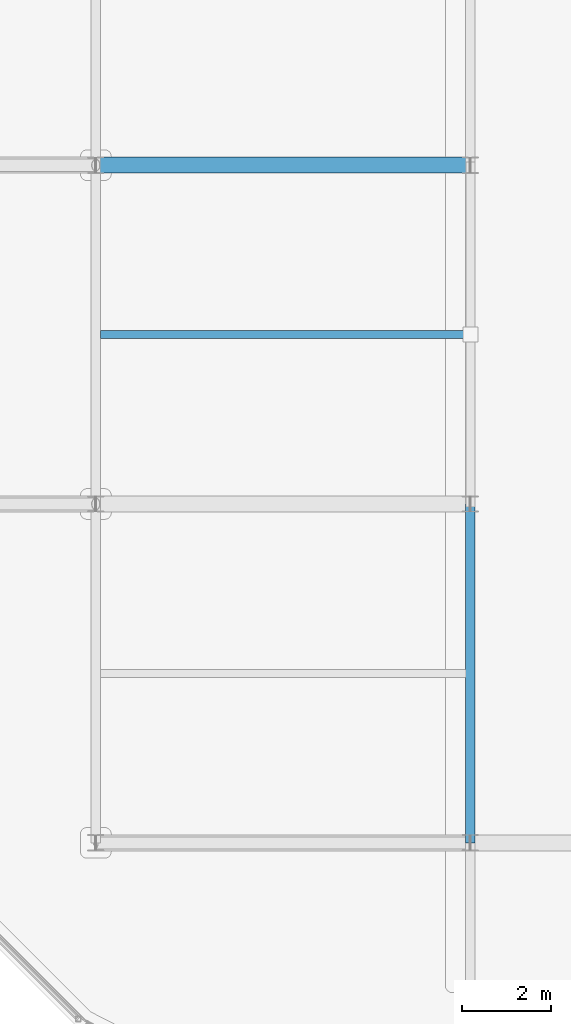
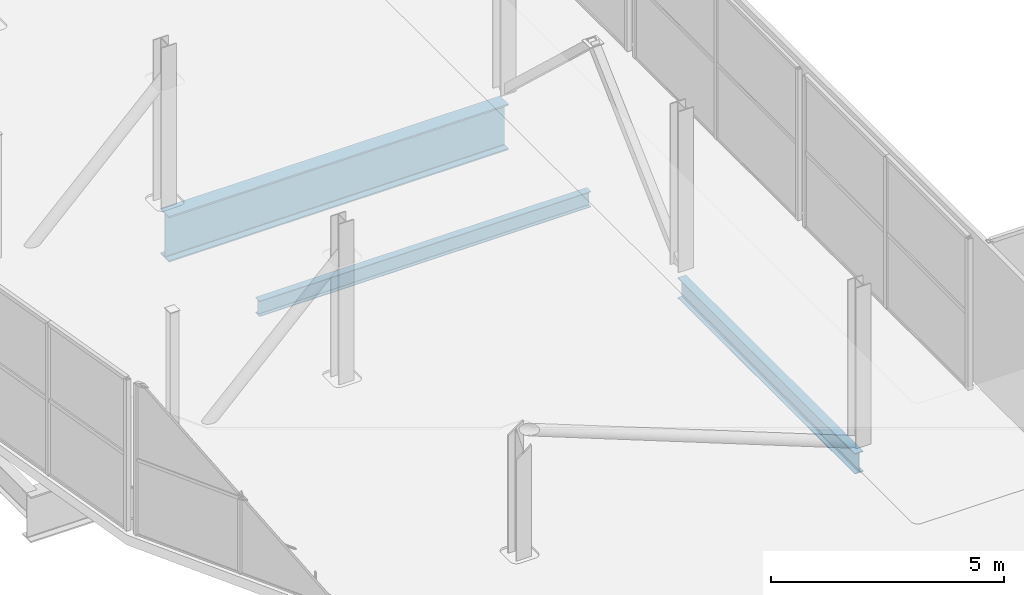
# One storey, part 25 of 217: 3 beams.
"""IFC4 building model written with IfcOpenShell, lengths in metres."""

from ifc_helpers import new_model, si_unit, direction, frame, origin, origin_2d, place, context, subcontext, project, spatial, i_section, extrude, material, material_profile, profile_set, type_object, element, save


model = new_model("IFC4")

# Units and contexts
model_context = context("Model", 3, precision=1e-05, world=origin(), true_north=direction((0.0, 1.0)))
body_context = subcontext(model_context, "Body", "Model", "MODEL_VIEW")
ifc_project = project(units=[si_unit("LENGTHUNIT", "METRE"), si_unit("AREAUNIT", "SQUARE_METRE"), si_unit("VOLUMEUNIT", "CUBIC_METRE"), si_unit("PLANEANGLEUNIT", "RADIAN"), si_unit("MASSUNIT", "GRAM", prefix="KILO")], contexts=[model_context])

# Site, building, storey
site_placement = place(None, origin())
site = spatial("IfcSite", under=ifc_project, at=site_placement, CompositionType="ELEMENT")
building_placement = place(site_placement, origin())
building = spatial("IfcBuilding", under=site, at=building_placement, Name="Zuvorla Pavilion Media Centre", CompositionType="ELEMENT")
storey_placement = place(building_placement, frame((0.0, 0.0, 9.60009765625)))
storey = spatial("IfcBuildingStorey", under=building, at=storey_placement, Name="L02", CompositionType="ELEMENT", Elevation=9.60009765625)

# Beams
ifc_material = material(Name="Steel S355", Category="steel")
ifc_material_profile_1 = material_profile(ifc_material, i_section(OverallWidth=0.360107421875, OverallDepth=1.199951171875, WebThickness=0.02001953125, FlangeThickness=0.0380859375, FilletRadius=0.02392578125, at=origin_2d()), Name="PG 1200x360x38")
ifc_profile_set_1 = profile_set([ifc_material_profile_1], Name="Steel S355")
beam_type_1 = type_object("IfcBeamType", Name="BM-PG1200", PredefinedType="BEAM", material=ifc_profile_set_1)
beam_1_placement = place(storey_placement, frame((24.800048828125, 66.800048828125, -0.8681640625), z_axis=(-1.0, 0.0, 0.0), x_axis=(0.0, -1.0, 0.0)))
element("IfcBeam", 1, at=beam_1_placement, inside=storey, type_object=beam_type_1, Name="L02 beam B01 1671", PredefinedType="BEAM", context=body_context, shape_type="SweptSolid", body=[
    extrude(i_section(OverallWidth=0.360107421875, OverallDepth=1.199951171875, WebThickness=0.02001953125, FlangeThickness=0.0380859375, FilletRadius=0.02392578125, at=origin_2d()), origin(), (0.0, 0.0, 1.0), 8.400146484375),
])
ifc_material_profile_2 = material_profile(ifc_material, i_section(OverallWidth=0.1787109375, OverallDepth=0.409423828125, WebThickness=0.0087890625, FlangeThickness=0.014404296875, FilletRadius=0.01025390625, at=origin_2d()), Name="UB 406x178x67")
ifc_profile_set_2 = profile_set([ifc_material_profile_2], Name="Steel S355")
beam_type_2 = type_object("IfcBeamType", Name="BM-UB406", PredefinedType="JOIST", material=ifc_profile_set_2)
beam_2_placement = place(storey_placement, frame((16.5, 63.0, -0.472900390625), z_axis=(1.0, 0.0, 0.0), x_axis=(0.0, 1.0, 0.0)))
element("IfcBeam", 2, at=beam_2_placement, inside=storey, type_object=beam_type_2, Name="L02 joist J02 982", PredefinedType="JOIST", context=body_context, shape_type="SweptSolid", body=[
    extrude(i_section(OverallWidth=0.1787109375, OverallDepth=0.409423828125, WebThickness=0.0087890625, FlangeThickness=0.014404296875, FilletRadius=0.01025390625, at=origin_2d()), origin(), (0.0, 0.0, 1.0), 8.199951171875),
])
ifc_material_profile_3 = material_profile(ifc_material, i_section(OverallWidth=0.2099609375, OverallDepth=0.53662109375, WebThickness=0.0107421875, FlangeThickness=0.017333984375, FilletRadius=0.0126953125, at=origin_2d()), Name="UB 533x210x101")
ifc_profile_set_3 = profile_set([ifc_material_profile_3], Name="Steel S355")
beam_type_3 = type_object("IfcBeamType", Name="BM-UB533", PredefinedType="BEAM", material=ifc_profile_set_3)
beam_3_placement = place(storey_placement, frame((24.800048828125, 51.60009765625, -0.536376953125), z_axis=(0.0, 1.0, 0.0), x_axis=(-1.0, 0.0, 0.0)))
element("IfcBeam", 3, at=beam_3_placement, inside=storey, type_object=beam_type_3, Name="L02 beam B08 896", PredefinedType="BEAM", context=body_context, shape_type="SweptSolid", body=[
    extrude(i_section(OverallWidth=0.2099609375, OverallDepth=0.53662109375, WebThickness=0.0107421875, FlangeThickness=0.017333984375, FilletRadius=0.0126953125, at=origin_2d()), origin(), (0.0, 0.0, 1.0), 7.599853515625),
])

save(model, "model.ifc")
